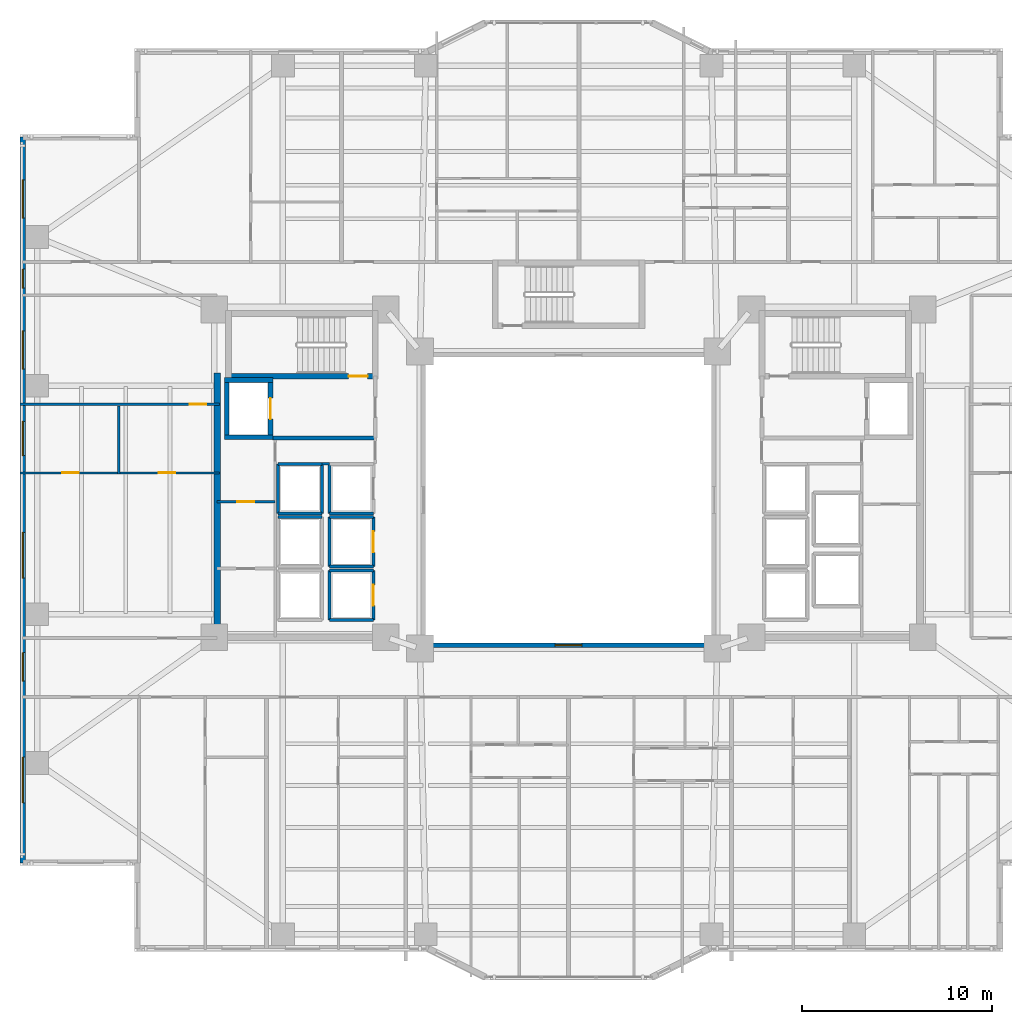
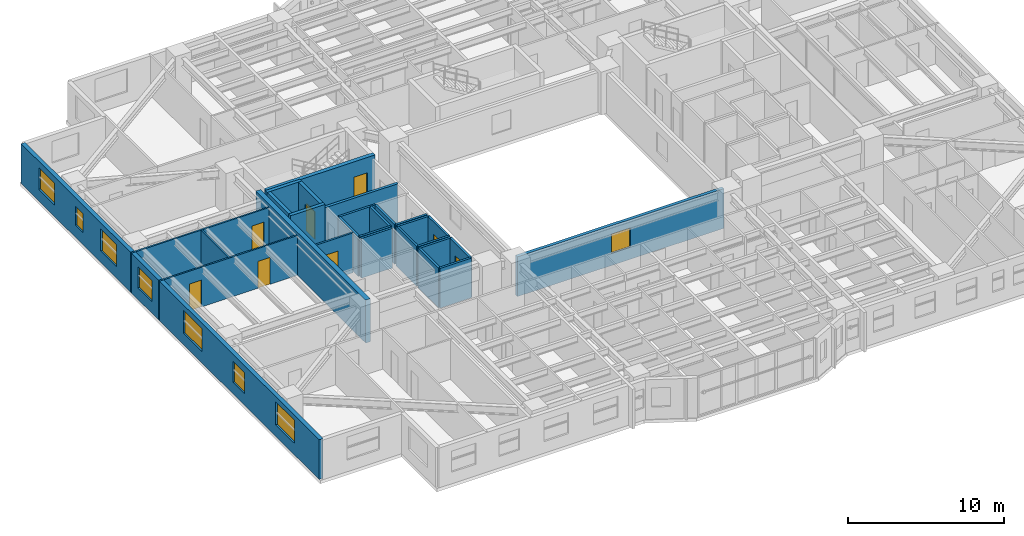
# One storey, part 11 of 22: 29 walls, 8 doors, 8 windows, 16 openings.
"""IFC4 building model written with IfcOpenShell, lengths in metres."""

from ifc_helpers import new_model, si_unit, direction, frame, frame_2d, origin, place, context, subcontext, project, spatial, rectangle, extrude, material, layer, layer_set, type_object, element, fill, save


model = new_model("IFC4")

# Units and contexts
model_context = context("Model", 3, precision=1e-05, world=origin(), true_north=direction((0.0, 1.0)))
body_context = subcontext(model_context, "Body", "Model", "MODEL_VIEW")
ifc_project = project(units=[si_unit("LENGTHUNIT", "METRE"), si_unit("AREAUNIT", "SQUARE_METRE"), si_unit("VOLUMEUNIT", "CUBIC_METRE"), si_unit("PLANEANGLEUNIT", "RADIAN"), si_unit("MASSUNIT", "GRAM", prefix="KILO")], contexts=[model_context])

# Site, building, storey
site_placement = place(None, origin())
site = spatial("IfcSite", under=ifc_project, at=site_placement, CompositionType="ELEMENT")
building_placement = place(site_placement, origin())
building = spatial("IfcBuilding", under=site, at=building_placement, Name="Tarnavaz Court Tower", CompositionType="ELEMENT")
storey_placement = place(building_placement, frame((0.0, 0.0, 27.35009765625)))
storey = spatial("IfcBuildingStorey", under=building, at=storey_placement, Name="L06", CompositionType="ELEMENT", Elevation=27.35009765625)

# Wall
ifc_material_1 = material(Name="Concrete C60/75", Category="concrete")
ifc_layer_1 = layer(ifc_material_1, 0.25)
ifc_layer_set_1 = layer_set([ifc_layer_1], Name="Concrete C60/75")
wall_type_1 = type_object("IfcWallType", Name="WL-CORE-250-C60", PredefinedType="SHEAR", material=ifc_layer_set_1)
wall_1_placement = place(storey_placement, frame((-17.949951171875, 3.175048828125, 0.0), z_axis=(0.0, 0.0, 1.0), x_axis=(0.0, 1.0, 0.0)))
element("IfcWall", 1, at=wall_1_placement, inside=storey, type_object=wall_type_1, Name="L06 Lift FL-W1 Shaft Wall 017", PredefinedType="SHEAR", context=body_context, shape_type="SweptSolid", body=[
    extrude(rectangle(XDim=3.25, YDim=0.25, at=frame_2d((1.625, 0.0))), origin(), (0.0, 0.0, 1.0), 3.349853515625),
])

# Wall, opening, door
wall_2_placement = place(storey_placement, frame((-15.64990234375, 3.175048828125, 0.0), z_axis=(0.0, 0.0, 1.0), x_axis=(0.0, 1.0, 0.0)))
wall_2 = element("IfcWall", 2, at=wall_2_placement, inside=storey, type_object=wall_type_1, Name="L06 Lift FL-W1 Shaft Wall 018", PredefinedType="SHEAR", context=body_context, shape_type="SweptSolid", body=[
    extrude(rectangle(XDim=3.25, YDim=0.25, at=frame_2d((1.625, 0.0))), origin(), (0.0, 0.0, 1.0), 3.349853515625),
])
opening_1_placement = place(wall_2_placement, frame((1.074951171875, 0.0, 0.0)))
opening_1 = element("IfcOpeningElement", 3, at=opening_1_placement, cuts=wall_2, Name="Opening LD1", PredefinedType="OPENING", context=body_context, shape_type="SweptSolid", body=[
    extrude(rectangle(XDim=1.10009765625, YDim=2.14990234375, at=frame_2d((0.550048828125, 1.074951171875))), frame((0.0, 0.135009765625, 0.0), z_axis=(0.0, -1.0, 0.0), x_axis=(1.0, 0.0, 0.0)), (0.0, 0.0, 1.0), 0.27001953125),
])
ifc_material_2 = material(Name="Stainless Steel", Category="steel")
door_type_1 = type_object("IfcDoorType", Name="DR-LD-1100", OperationType="NOTDEFINED", PredefinedType="DOOR", material=ifc_material_2)
door_1_placement = place(opening_1_placement, origin())
door_1 = element("IfcDoor", 4, at=door_1_placement, inside=storey, type_object=door_type_1, Name="L06 Lift Landing Door LD-FL-W1", OperationType="SLIDING_TO_LEFT", OverallHeight=2.14990234375, OverallWidth=1.10009765625, PredefinedType="DOOR", context=body_context, shape_type="SweptSolid", body=[
    extrude(rectangle(XDim=1.10009765625, YDim=2.14990234375, at=frame_2d((0.550048828125, 1.074951171875))), frame((0.0, 0.02490234375, 0.0), z_axis=(0.0, -1.0, 0.0), x_axis=(1.0, 0.0, 0.0)), (0.0, 0.0, 1.0), 0.050048828125),
])
fill(opening_1, door_1)

# Walls
for number, where, z_axis, x_axis, name in (
    (5, (-18.074951171875, 3.300048828125, 0.0), (0.0, 0.0, 1.0), (1.0, 0.0, 0.0), "L06 Lift FL-W1 Shaft Wall 019"),
    (6, (-18.074951171875, 6.300048828125, 0.0), (0.0, 0.0, 1.0), (1.0, 0.0, 0.0), "L06 Lift FL-W1 Shaft Wall 020"),
):
    element("IfcWall", number, at=place(storey_placement, frame(where, z_axis=z_axis, x_axis=x_axis)), inside=storey, type_object=wall_type_1, Name=name, PredefinedType="SHEAR", context=body_context, shape_type="SweptSolid", body=[
        extrude(rectangle(XDim=2.550048828125, YDim=0.25, at=frame_2d((1.27490234375, 0.0))), origin(), (0.0, 0.0, 1.0), 3.349853515625),
    ])

# Wall, opening, door
ifc_layer_2 = layer(ifc_material_1, 0.300048828125)
ifc_layer_set_2 = layer_set([ifc_layer_2], Name="Concrete C60/75")
wall_type_2 = type_object("IfcWallType", Name="WL-CORE-300-C60", PredefinedType="SHEAR", material=ifc_layer_set_2)
wall_3_placement = place(storey_placement, frame((-18.0, 6.5, 0.0), z_axis=(0.0, 0.0, 1.0), x_axis=(1.0, 0.0, 0.0)))
wall_3 = element("IfcWall", 7, at=wall_3_placement, inside=storey, type_object=wall_type_2, Name="L06 West Stair Core Wall 002", PredefinedType="SHEAR", context=body_context, shape_type="SweptSolid", body=[
    extrude(rectangle(XDim=8.0, YDim=0.300048828125, at=frame_2d((4.0, 0.0))), origin(), (0.0, 0.0, 1.0), 3.349853515625),
])
opening_2_placement = place(wall_3_placement, frame((6.449951171875, 0.0, 0.0)))
opening_2 = element("IfcOpeningElement", 8, at=opening_2_placement, cuts=wall_3, Name="Opening D01", PredefinedType="OPENING", context=body_context, shape_type="SweptSolid", body=[
    extrude(rectangle(XDim=1.0, YDim=2.14990234375, at=frame_2d((0.5, 1.074951171875))), frame((0.0, 0.159912109375, 0.0), z_axis=(0.0, -1.0, 0.0), x_axis=(1.0, 0.0, 0.0)), (0.0, 0.0, 1.0), 0.320068359375),
])
ifc_material_3 = material(Name="Fire-Rated Hardwood Timber Core", Category="wood")
door_type_2 = type_object("IfcDoorType", Name="DR-FD90-1000", OperationType="NOTDEFINED", PredefinedType="DOOR", material=ifc_material_3)
door_2_placement = place(opening_2_placement, origin())
door_2 = element("IfcDoor", 9, at=door_2_placement, inside=storey, type_object=door_type_2, Name="L06 Stair ST-W1 Exit Door", OperationType="SINGLE_SWING_LEFT", OverallHeight=2.14990234375, OverallWidth=1.0, PredefinedType="DOOR", context=body_context, shape_type="SweptSolid", body=[
    extrude(rectangle(XDim=1.0, YDim=2.14990234375, at=frame_2d((0.5, 1.074951171875))), frame((0.0, 0.02490234375, 0.0), z_axis=(0.0, -1.0, 0.0), x_axis=(1.0, 0.0, 0.0)), (0.0, 0.0, 1.0), 0.050048828125),
])
fill(opening_2, door_2)

# Wall
ifc_layer_3 = layer(ifc_material_1, 0.35009765625)
ifc_layer_set_3 = layer_set([ifc_layer_3], Name="Concrete C60/75")
wall_type_3 = type_object("IfcWallType", Name="WL-CORE-350-C60", PredefinedType="SHEAR", material=ifc_layer_set_3)
wall_4_placement = place(storey_placement, frame((-18.449951171875, -7.375, 0.0), z_axis=(0.0, 0.0, 1.0), x_axis=(0.0, 1.0, 0.0)))
element("IfcWall", 10, at=wall_4_placement, inside=storey, type_object=wall_type_3, Name="L06 West Core Shear Wall 069", PredefinedType="SHEAR", context=body_context, shape_type="SweptSolid", body=[
    extrude(rectangle(XDim=14.050048828125, YDim=0.35009765625, at=frame_2d((7.02490234375, 0.0))), origin(), (0.0, 0.0, 1.0), 3.349853515625),
])

# Wall, openings, windows
ifc_material_4 = material(Name="Precast Concrete C40/50", Category="concrete")
ifc_layer_4 = layer(ifc_material_4, 0.300048828125)
ifc_layer_set_4 = layer_set([ifc_layer_4], Name="Precast Concrete C40/50")
wall_type_4 = type_object("IfcWallType", Name="WL-EXT-300", PredefinedType="SOLIDWALL", material=ifc_layer_set_4)
wall_5_placement = place(storey_placement, frame((-28.64990234375, -19.050048828125, 0.0), z_axis=(0.0, 0.0, 1.0), x_axis=(0.0, 1.0, 0.0)))
wall_5 = element("IfcWall", 11, at=wall_5_placement, inside=storey, type_object=wall_type_4, Name="L06 Exterior Terracotta Facade Wall 02", PredefinedType="SOLIDWALL", context=body_context, shape_type="SweptSolid", body=[
    extrude(rectangle(XDim=38.10009765625, YDim=0.300048828125, at=frame_2d((19.050048828125, 0.0))), origin(), (0.0, 0.0, 1.0), 3.099853515625),
])
opening_3_placement = place(wall_5_placement, frame((3.14990234375, 0.0, 0.89990234375)))
opening_3 = element("IfcOpeningElement", 12, at=opening_3_placement, cuts=wall_5, Name="Opening W06", PredefinedType="OPENING", context=body_context, shape_type="SweptSolid", body=[
    extrude(rectangle(XDim=2.39990234375, YDim=1.800048828125, at=frame_2d((1.199951171875, 0.89990234375))), frame((0.0, 0.159912109375, 0.0), z_axis=(0.0, -1.0, 0.0), x_axis=(1.0, 0.0, 0.0)), (0.0, 0.0, 1.0), 0.320068359375),
])
opening_4_placement = place(wall_5_placement, frame((9.54248046875, 0.0, 0.89990234375)))
opening_4 = element("IfcOpeningElement", 13, at=opening_4_placement, cuts=wall_5, Name="Opening W03", PredefinedType="OPENING", context=body_context, shape_type="SweptSolid", body=[
    extrude(rectangle(XDim=1.5, YDim=1.64990234375, at=frame_2d((0.75, 0.824951171875))), frame((0.0, 0.159912109375, 0.0), z_axis=(0.0, -1.0, 0.0), x_axis=(1.0, 0.0, 0.0)), (0.0, 0.0, 1.0), 0.320068359375),
])
opening_5_placement = place(wall_5_placement, frame((14.949951171875, 0.0, 0.89990234375)))
opening_5 = element("IfcOpeningElement", 14, at=opening_5_placement, cuts=wall_5, Name="Opening W06", PredefinedType="OPENING", context=body_context, shape_type="SweptSolid", body=[
    extrude(rectangle(XDim=2.39990234375, YDim=1.800048828125, at=frame_2d((1.199951171875, 0.89990234375))), frame((0.0, 0.159912109375, 0.0), z_axis=(0.0, -1.0, 0.0), x_axis=(1.0, 0.0, 0.0)), (0.0, 0.0, 1.0), 0.320068359375),
])
opening_6_placement = place(wall_5_placement, frame((21.375, 0.0, 0.89990234375)))
opening_6 = element("IfcOpeningElement", 15, at=opening_6_placement, cuts=wall_5, Name="Opening W01", PredefinedType="OPENING", context=body_context, shape_type="SweptSolid", body=[
    extrude(rectangle(XDim=1.800048828125, YDim=1.64990234375, at=frame_2d((0.89990234375, 0.824951171875))), frame((0.0, 0.159912109375, 0.0), z_axis=(0.0, -1.0, 0.0), x_axis=(1.0, 0.0, 0.0)), (0.0, 0.0, 1.0), 0.320068359375),
])
opening_7_placement = place(wall_5_placement, frame((25.925048828125, 0.0, 0.89990234375)))
opening_7 = element("IfcOpeningElement", 16, at=opening_7_placement, cuts=wall_5, Name="Opening W08", PredefinedType="OPENING", context=body_context, shape_type="SweptSolid", body=[
    extrude(rectangle(XDim=2.0, YDim=1.699951171875, at=frame_2d((1.0, 0.85009765625))), frame((0.0, 0.159912109375, 0.0), z_axis=(0.0, -1.0, 0.0), x_axis=(1.0, 0.0, 0.0)), (0.0, 0.0, 1.0), 0.320068359375),
])
opening_8_placement = place(wall_5_placement, frame((30.175048828125, 0.0, 0.949951171875)))
opening_8 = element("IfcOpeningElement", 17, at=opening_8_placement, cuts=wall_5, Name="Opening W14", PredefinedType="OPENING", context=body_context, shape_type="SweptSolid", body=[
    extrude(rectangle(XDim=1.0, YDim=1.5, at=frame_2d((0.5, 0.75))), frame((0.0, 0.159912109375, 0.0), z_axis=(0.0, -1.0, 0.0), x_axis=(1.0, 0.0, 0.0)), (0.0, 0.0, 1.0), 0.320068359375),
])
opening_9_placement = place(wall_5_placement, frame((33.85009765625, 0.0, 0.89990234375)))
opening_9 = element("IfcOpeningElement", 18, at=opening_9_placement, cuts=wall_5, Name="Opening W08", PredefinedType="OPENING", context=body_context, shape_type="SweptSolid", body=[
    extrude(rectangle(XDim=2.0, YDim=1.699951171875, at=frame_2d((1.0, 0.85009765625))), frame((0.0, 0.159912109375, 0.0), z_axis=(0.0, -1.0, 0.0), x_axis=(1.0, 0.0, 0.0)), (0.0, 0.0, 1.0), 0.320068359375),
])
ifc_material_5 = material(Name="Double-Glazed Solar Low-E Glass", Category="glass")
window_type_1 = type_object("IfcWindowType", Name="WN-APT-1000", PartitioningType="SINGLE_PANEL", PredefinedType="WINDOW", material=ifc_material_5)
window_1_placement = place(opening_8_placement, origin())
window_1 = element("IfcWindow", 19, at=window_1_placement, inside=storey, type_object=window_type_1, Name="L06 North-West Corner Corridor Window", OverallHeight=1.5, OverallWidth=1.0, PartitioningType="SINGLE_PANEL", PredefinedType="WINDOW", context=body_context, shape_type="SweptSolid", body=[
    extrude(rectangle(XDim=1.0, YDim=1.5, at=frame_2d((0.5, 0.75))), frame((0.0, 0.030029296875, 0.0), z_axis=(0.0, -1.0, 0.0), x_axis=(1.0, 0.0, 0.0)), (0.0, 0.0, 1.0), 0.06005859375),
])
fill(opening_8, window_1)
window_type_2 = type_object("IfcWindowType", Name="WN-APT-1500", PartitioningType="DOUBLE_PANEL_VERTICAL", PredefinedType="WINDOW", material=ifc_material_5)
window_2_placement = place(opening_4_placement, origin())
window_2 = element("IfcWindow", 20, at=window_2_placement, inside=storey, type_object=window_type_2, Name="L06 South-West Corner Corridor Window", OverallHeight=1.64990234375, OverallWidth=1.5, PartitioningType="SINGLE_PANEL", PredefinedType="WINDOW", context=body_context, shape_type="SweptSolid", body=[
    extrude(rectangle(XDim=1.5, YDim=1.64990234375, at=frame_2d((0.75, 0.824951171875))), frame((0.0, 0.030029296875, 0.0), z_axis=(0.0, -1.0, 0.0), x_axis=(1.0, 0.0, 0.0)), (0.0, 0.0, 1.0), 0.06005859375),
])
fill(opening_4, window_2)
window_type_3 = type_object("IfcWindowType", Name="WN-APT-1800", PartitioningType="DOUBLE_PANEL_VERTICAL", PredefinedType="WINDOW", material=ifc_material_5)
window_3_placement = place(opening_6_placement, origin())
window_3 = element("IfcWindow", 21, at=window_3_placement, inside=storey, type_object=window_type_3, Name="L06 Flat 11 Kitchen Window", OverallHeight=1.64990234375, OverallWidth=1.800048828125, PartitioningType="SINGLE_PANEL", PredefinedType="WINDOW", context=body_context, shape_type="SweptSolid", body=[
    extrude(rectangle(XDim=1.800048828125, YDim=1.64990234375, at=frame_2d((0.89990234375, 0.824951171875))), frame((0.0, 0.030029296875, 0.0), z_axis=(0.0, -1.0, 0.0), x_axis=(1.0, 0.0, 0.0)), (0.0, 0.0, 1.0), 0.06005859375),
])
fill(opening_6, window_3)
window_type_4 = type_object("IfcWindowType", Name="WN-APT-2000", PartitioningType="DOUBLE_PANEL_VERTICAL", PredefinedType="WINDOW", material=ifc_material_5)
window_4_placement = place(opening_7_placement, origin())
window_4 = element("IfcWindow", 22, at=window_4_placement, inside=storey, type_object=window_type_4, Name="L06 Flat 11 Study Room Window", OverallHeight=1.699951171875, OverallWidth=2.0, PartitioningType="SINGLE_PANEL", PredefinedType="WINDOW", context=body_context, shape_type="SweptSolid", body=[
    extrude(rectangle(XDim=2.0, YDim=1.699951171875, at=frame_2d((1.0, 0.85009765625))), frame((0.0, 0.030029296875, 0.0), z_axis=(0.0, -1.0, 0.0), x_axis=(1.0, 0.0, 0.0)), (0.0, 0.0, 1.0), 0.06005859375),
])
fill(opening_7, window_4)
window_5_placement = place(opening_9_placement, origin())
window_5 = element("IfcWindow", 23, at=window_5_placement, inside=storey, type_object=window_type_4, Name="L06 North-West Corner Sunroom Study Window", OverallHeight=1.699951171875, OverallWidth=2.0, PartitioningType="SINGLE_PANEL", PredefinedType="WINDOW", context=body_context, shape_type="SweptSolid", body=[
    extrude(rectangle(XDim=2.0, YDim=1.699951171875, at=frame_2d((1.0, 0.85009765625))), frame((0.0, 0.030029296875, 0.0), z_axis=(0.0, -1.0, 0.0), x_axis=(1.0, 0.0, 0.0)), (0.0, 0.0, 1.0), 0.06005859375),
])
fill(opening_9, window_5)
window_type_5 = type_object("IfcWindowType", Name="WN-APT-2400", PartitioningType="TRIPLE_PANEL_VERTICAL", PredefinedType="WINDOW", material=ifc_material_5)
window_6_placement = place(opening_3_placement, origin())
window_6 = element("IfcWindow", 24, at=window_6_placement, inside=storey, type_object=window_type_5, Name="L06 South-West Corner Reading Room Window", OverallHeight=1.800048828125, OverallWidth=2.39990234375, PartitioningType="SINGLE_PANEL", PredefinedType="WINDOW", context=body_context, shape_type="SweptSolid", body=[
    extrude(rectangle(XDim=2.39990234375, YDim=1.800048828125, at=frame_2d((1.199951171875, 0.89990234375))), frame((0.0, 0.030029296875, 0.0), z_axis=(0.0, -1.0, 0.0), x_axis=(1.0, 0.0, 0.0)), (0.0, 0.0, 1.0), 0.06005859375),
])
fill(opening_3, window_6)
window_7_placement = place(opening_5_placement, origin())
window_7 = element("IfcWindow", 25, at=window_7_placement, inside=storey, type_object=window_type_5, Name="L06 Flat 11 Studio Living and Sleeping Room Window", OverallHeight=1.800048828125, OverallWidth=2.39990234375, PartitioningType="SINGLE_PANEL", PredefinedType="WINDOW", context=body_context, shape_type="SweptSolid", body=[
    extrude(rectangle(XDim=2.39990234375, YDim=1.800048828125, at=frame_2d((1.199951171875, 0.89990234375))), frame((0.0, 0.030029296875, 0.0), z_axis=(0.0, -1.0, 0.0), x_axis=(1.0, 0.0, 0.0)), (0.0, 0.0, 1.0), 0.06005859375),
])
fill(opening_5, window_7)

# Wall
ifc_material_6 = material(Name="Autoclaved Aerated Concrete Blockwork", Category="masonry")
ifc_layer_5 = layer(ifc_material_6, 0.199951171875)
ifc_layer_set_5 = layer_set([ifc_layer_5], Name="Autoclaved Aerated Concrete Blockwork")
wall_type_5 = type_object("IfcWallType", Name="WL-FIRE-200", PredefinedType="SOLIDWALL", material=ifc_layer_set_5)
wall_6_placement = place(storey_placement, frame((-15.550048828125, 3.25, 0.0), z_axis=(0.0, 0.0, 1.0), x_axis=(1.0, 0.0, 0.0)))
element("IfcWall", 26, at=wall_6_placement, inside=storey, type_object=wall_type_5, Name="L06 West Firefighting Lobby Wall 013", PredefinedType="SOLIDWALL", context=body_context, shape_type="SweptSolid", body=[
    extrude(rectangle(XDim=5.400146484375, YDim=0.199951171875, at=frame_2d((2.7001953125, 0.0))), origin(), (0.0, 0.0, 1.0), 3.099853515625),
])

# Wall, openings, doors
ifc_material_7 = material(Name="Moisture-Resistant Gypsum Board Partition", Category="masonry")
ifc_layer_6 = layer(ifc_material_7, 0.1201171875)
ifc_layer_set_6 = layer_set([ifc_layer_6], Name="Moisture-Resistant Gypsum Board Partition")
wall_type_6 = type_object("IfcWallType", Name="WL-PART-120", PredefinedType="PARTITIONING", material=ifc_layer_set_6)
wall_7_placement = place(storey_placement, frame((-28.800048828125, 1.419921875, 0.0), z_axis=(0.0, 0.0, 1.0), x_axis=(1.0, 0.0, 0.0)))
wall_7 = element("IfcWall", 27, at=wall_7_placement, inside=storey, type_object=wall_type_6, Name="L06 Interior Partition 157", PredefinedType="PARTITIONING", context=body_context, shape_type="SweptSolid", body=[
    extrude(rectangle(XDim=10.469970703125, YDim=0.1201171875, at=frame_2d((5.23486328125, 0.0))), origin(), (0.0, 0.0, 1.0), 3.099853515625),
])
opening_10_placement = place(wall_7_placement, frame((2.212890625, 0.0, 0.0)))
opening_10 = element("IfcOpeningElement", 28, at=opening_10_placement, cuts=wall_7, Name="Opening D14", PredefinedType="OPENING", context=body_context, shape_type="SweptSolid", body=[
    extrude(rectangle(XDim=0.8798828125, YDim=2.10009765625, at=frame_2d((0.43994140625, 1.050048828125))), frame((0.0, 0.070068359375, 0.0), z_axis=(0.0, -1.0, 0.0), x_axis=(1.0, 0.0, 0.0)), (0.0, 0.0, 1.0), 0.14013671875),
])
opening_11_placement = place(wall_7_placement, frame((7.278076171875, 0.0, 0.0)))
opening_11 = element("IfcOpeningElement", 29, at=opening_11_placement, cuts=wall_7, Name="Opening D14", PredefinedType="OPENING", context=body_context, shape_type="SweptSolid", body=[
    extrude(rectangle(XDim=0.8798828125, YDim=2.10009765625, at=frame_2d((0.43994140625, 1.050048828125))), frame((0.0, 0.070068359375, 0.0), z_axis=(0.0, -1.0, 0.0), x_axis=(1.0, 0.0, 0.0)), (0.0, 0.0, 1.0), 0.14013671875),
])
ifc_material_8 = material(Name="Engineered Oak Timber", Category="wood")
door_type_3 = type_object("IfcDoorType", Name="DR-INT-900", OperationType="NOTDEFINED", PredefinedType="DOOR", material=ifc_material_8)
door_3_placement = place(opening_10_placement, origin())
door_3 = element("IfcDoor", 30, at=door_3_placement, inside=storey, type_object=door_type_3, Name="L06 Flat 11 Kitchen Door", OperationType="SINGLE_SWING_RIGHT", OverallHeight=2.10009765625, OverallWidth=0.8798828125, PredefinedType="DOOR", context=body_context, shape_type="SweptSolid", body=[
    extrude(rectangle(XDim=0.8798828125, YDim=2.10009765625, at=frame_2d((0.43994140625, 1.050048828125))), frame((0.0, 0.02490234375, 0.0), z_axis=(0.0, -1.0, 0.0), x_axis=(1.0, 0.0, 0.0)), (0.0, 0.0, 1.0), 0.050048828125),
])
fill(opening_10, door_3)
door_4_placement = place(opening_11_placement, origin())
door_4 = element("IfcDoor", 31, at=door_4_placement, inside=storey, type_object=door_type_3, Name="L06 Flat 11 Bathroom Door", OperationType="SINGLE_SWING_LEFT", OverallHeight=2.10009765625, OverallWidth=0.8798828125, PredefinedType="DOOR", context=body_context, shape_type="SweptSolid", body=[
    extrude(rectangle(XDim=0.8798828125, YDim=2.10009765625, at=frame_2d((0.43994140625, 1.050048828125))), frame((0.0, 0.02490234375, 0.0), z_axis=(0.0, -1.0, 0.0), x_axis=(1.0, 0.0, 0.0)), (0.0, 0.0, 1.0), 0.050048828125),
])
fill(opening_11, door_4)

# Wall, opening, door
wall_8_placement = place(storey_placement, frame((-28.800048828125, 5.02001953125, 0.0), z_axis=(0.0, 0.0, 1.0), x_axis=(1.0, 0.0, 0.0)))
wall_8 = element("IfcWall", 32, at=wall_8_placement, inside=storey, type_object=wall_type_6, Name="L06 Interior Partition 158", PredefinedType="PARTITIONING", context=body_context, shape_type="SweptSolid", body=[
    extrude(rectangle(XDim=10.469970703125, YDim=0.1201171875, at=frame_2d((5.23486328125, 0.0))), origin(), (0.0, 0.0, 1.0), 3.099853515625),
])
opening_12_placement = place(wall_8_placement, frame((8.89990234375, 0.0, 0.0)))
opening_12 = element("IfcOpeningElement", 33, at=opening_12_placement, cuts=wall_8, Name="Opening D14", PredefinedType="OPENING", context=body_context, shape_type="SweptSolid", body=[
    extrude(rectangle(XDim=0.8798828125, YDim=2.10009765625, at=frame_2d((0.43994140625, 1.050048828125))), frame((0.0, 0.070068359375, 0.0), z_axis=(0.0, -1.0, 0.0), x_axis=(1.0, 0.0, 0.0)), (0.0, 0.0, 1.0), 0.14013671875),
])
door_5_placement = place(opening_12_placement, origin())
door_5 = element("IfcDoor", 34, at=door_5_placement, inside=storey, type_object=door_type_3, Name="L06 Flat 11 Study Door", OperationType="SINGLE_SWING_RIGHT", OverallHeight=2.10009765625, OverallWidth=0.8798828125, PredefinedType="DOOR", context=body_context, shape_type="SweptSolid", body=[
    extrude(rectangle(XDim=0.8798828125, YDim=2.10009765625, at=frame_2d((0.43994140625, 1.050048828125))), frame((0.0, 0.02490234375, 0.0), z_axis=(0.0, -1.0, 0.0), x_axis=(1.0, 0.0, 0.0)), (0.0, 0.0, 1.0), 0.050048828125),
])
fill(opening_12, door_5)

# Walls
wall_9_placement = place(storey_placement, frame((-23.614990234375, 1.360107421875, 0.0), z_axis=(0.0, 0.0, 1.0), x_axis=(0.0, 1.0, 0.0)))
element("IfcWall", 35, at=wall_9_placement, inside=storey, type_object=wall_type_6, Name="L06 Interior Partition 159", PredefinedType="PARTITIONING", context=body_context, shape_type="SweptSolid", body=[
    extrude(rectangle(XDim=3.579833984375, YDim=0.1201171875, at=frame_2d((1.7900390625, 0.0))), origin(), (0.0, 0.0, 1.0), 3.099853515625),
])
ifc_material_9 = material(Name="Gypsum Plasterboard Acoustic Partition", Category="masonry")
ifc_layer_7 = layer(ifc_material_9, 0.139892578125)
ifc_layer_set_7 = layer_set([ifc_layer_7], Name="Gypsum Plasterboard Acoustic Partition")
wall_type_7 = type_object("IfcWallType", Name="WL-PART-150", PredefinedType="PARTITIONING", material=ifc_layer_set_7)
wall_10_placement = place(storey_placement, frame((-12.949951171875, 1.89990234375, 0.0), z_axis=(0.0, 0.0, 1.0), x_axis=(1.0, 0.0, 0.0)))
element("IfcWall", 36, at=wall_10_placement, inside=storey, type_object=wall_type_7, Name="L06 Interior Partition 073", PredefinedType="PARTITIONING", context=body_context, shape_type="SweptSolid", body=[
    extrude(rectangle(XDim=0.39990234375, YDim=0.139892578125, at=frame_2d((0.199951171875, 0.0))), origin(), (0.0, 0.0, 1.0), 3.099853515625),
])

# Wall, opening, door
wall_11_placement = place(storey_placement, frame((-18.449951171875, -0.10009765625, 0.0), z_axis=(0.0, 0.0, 1.0), x_axis=(1.0, 0.0, 0.0)))
wall_11 = element("IfcWall", 37, at=wall_11_placement, inside=storey, type_object=wall_type_7, Name="L06 Interior Partition 077", PredefinedType="PARTITIONING", context=body_context, shape_type="SweptSolid", body=[
    extrude(rectangle(XDim=3.050048828125, YDim=0.139892578125, at=frame_2d((1.52490234375, 0.0))), origin(), (0.0, 0.0, 1.0), 3.099853515625),
])
opening_13_placement = place(wall_11_placement, frame((1.050048828125, 0.0, 0.0)))
opening_13 = element("IfcOpeningElement", 38, at=opening_13_placement, cuts=wall_11, Name="Opening D09", PredefinedType="OPENING", context=body_context, shape_type="SweptSolid", body=[
    extrude(rectangle(XDim=0.89990234375, YDim=2.080078125, at=frame_2d((0.449951171875, 1.0400390625))), frame((0.0, 0.079833984375, 0.0), z_axis=(0.0, -1.0, 0.0), x_axis=(1.0, 0.0, 0.0)), (0.0, 0.0, 1.0), 0.159912109375),
])
door_type_4 = type_object("IfcDoorType", Name="DR-FD30-900", OperationType="NOTDEFINED", PredefinedType="DOOR", material=ifc_material_3)
door_6_placement = place(opening_13_placement, origin())
door_6 = element("IfcDoor", 39, at=door_6_placement, inside=storey, type_object=door_type_4, Name="L06 West Chilled-Water Riser Door", OperationType="SINGLE_SWING_LEFT", OverallHeight=2.080078125, OverallWidth=0.89990234375, PredefinedType="DOOR", context=body_context, shape_type="SweptSolid", body=[
    extrude(rectangle(XDim=0.89990234375, YDim=2.080078125, at=frame_2d((0.449951171875, 1.0400390625))), frame((0.0, 0.02490234375, 0.0), z_axis=(0.0, -1.0, 0.0), x_axis=(1.0, 0.0, 0.0)), (0.0, 0.0, 1.0), 0.050048828125),
])
fill(opening_13, door_6)

# Wall
ifc_layer_8 = layer(ifc_material_6, 0.159912109375)
ifc_layer_set_8 = layer_set([ifc_layer_8], Name="Autoclaved Aerated Concrete Blockwork")
wall_type_8 = type_object("IfcWallType", Name="WL-SHAFT-150", PredefinedType="SOLIDWALL", material=ifc_layer_set_8)
wall_12_placement = place(storey_placement, frame((-12.550048828125, -6.300048828125, 0.0), z_axis=(0.0, 0.0, 1.0), x_axis=(0.0, 1.0, 0.0)))
element("IfcWall", 40, at=wall_12_placement, inside=storey, type_object=wall_type_8, Name="L06 Lift PL-L1 Shaft Wall 021", PredefinedType="SOLIDWALL", context=body_context, shape_type="SweptSolid", body=[
    extrude(rectangle(XDim=2.60009765625, YDim=0.159912109375, at=frame_2d((1.300048828125, 0.0))), origin(), (0.0, 0.0, 1.0), 3.099853515625),
])

# Wall, opening, door
wall_13_placement = place(storey_placement, frame((-10.25, -6.300048828125, 0.0), z_axis=(0.0, 0.0, 1.0), x_axis=(0.0, 1.0, 0.0)))
wall_13 = element("IfcWall", 41, at=wall_13_placement, inside=storey, type_object=wall_type_8, Name="L06 Lift PL-L1 Shaft Wall 022", PredefinedType="SOLIDWALL", context=body_context, shape_type="SweptSolid", body=[
    extrude(rectangle(XDim=2.60009765625, YDim=0.159912109375, at=frame_2d((1.300048828125, 0.0))), origin(), (0.0, 0.0, 1.0), 3.099853515625),
])
opening_14_placement = place(wall_13_placement, frame((0.75, 0.0, 0.0)))
opening_14 = element("IfcOpeningElement", 42, at=opening_14_placement, cuts=wall_13, Name="Opening LD1", PredefinedType="OPENING", context=body_context, shape_type="SweptSolid", body=[
    extrude(rectangle(XDim=1.10009765625, YDim=2.14990234375, at=frame_2d((0.550048828125, 1.074951171875))), frame((0.0, 0.08984375, 0.0), z_axis=(0.0, -1.0, 0.0), x_axis=(1.0, 0.0, 0.0)), (0.0, 0.0, 1.0), 0.179931640625),
])
door_7_placement = place(opening_14_placement, origin())
door_7 = element("IfcDoor", 43, at=door_7_placement, inside=storey, type_object=door_type_1, Name="L06 Lift Landing Door LD-PL-L1", OperationType="SLIDING_TO_LEFT", OverallHeight=2.14990234375, OverallWidth=1.10009765625, PredefinedType="DOOR", context=body_context, shape_type="SweptSolid", body=[
    extrude(rectangle(XDim=1.10009765625, YDim=2.14990234375, at=frame_2d((0.550048828125, 1.074951171875))), frame((0.0, 0.02490234375, 0.0), z_axis=(0.0, -1.0, 0.0), x_axis=(1.0, 0.0, 0.0)), (0.0, 0.0, 1.0), 0.050048828125),
])
fill(opening_14, door_7)

# Walls
for number, where, z_axis, x_axis, name in (
    (44, (-12.550048828125, -6.300048828125, 0.0), (0.0, 0.0, 1.0), (1.0, 0.0, 0.0), "L06 Lift PL-L1 Shaft Wall 023"),
    (45, (-12.550048828125, -3.699951171875, 0.0), (0.0, 0.0, 1.0), (1.0, 0.0, 0.0), "L06 Lift PL-L1 Shaft Wall 024"),
):
    element("IfcWall", number, at=place(storey_placement, frame(where, z_axis=z_axis, x_axis=x_axis)), inside=storey, type_object=wall_type_8, Name=name, PredefinedType="SOLIDWALL", context=body_context, shape_type="SweptSolid", body=[
        extrude(rectangle(XDim=2.300048828125, YDim=0.159912109375, at=frame_2d((1.14990234375, 0.0))), origin(), (0.0, 0.0, 1.0), 3.099853515625),
    ])
wall_14_placement = place(storey_placement, frame((-12.550048828125, -3.5, 0.0), z_axis=(0.0, 0.0, 1.0), x_axis=(0.0, 1.0, 0.0)))
element("IfcWall", 46, at=wall_14_placement, inside=storey, type_object=wall_type_8, Name="L06 Lift PL-L2 Shaft Wall 025", PredefinedType="SOLIDWALL", context=body_context, shape_type="SweptSolid", body=[
    extrude(rectangle(XDim=2.60009765625, YDim=0.159912109375, at=frame_2d((1.300048828125, 0.0))), origin(), (0.0, 0.0, 1.0), 3.099853515625),
])

# Wall, opening, door
wall_15_placement = place(storey_placement, frame((-10.25, -3.5, 0.0), z_axis=(0.0, 0.0, 1.0), x_axis=(0.0, 1.0, 0.0)))
wall_15 = element("IfcWall", 47, at=wall_15_placement, inside=storey, type_object=wall_type_8, Name="L06 Lift PL-L2 Shaft Wall 026", PredefinedType="SOLIDWALL", context=body_context, shape_type="SweptSolid", body=[
    extrude(rectangle(XDim=2.60009765625, YDim=0.159912109375, at=frame_2d((1.300048828125, 0.0))), origin(), (0.0, 0.0, 1.0), 3.099853515625),
])
opening_15_placement = place(wall_15_placement, frame((0.75, 0.0, 0.0)))
opening_15 = element("IfcOpeningElement", 48, at=opening_15_placement, cuts=wall_15, Name="Opening LD1", PredefinedType="OPENING", context=body_context, shape_type="SweptSolid", body=[
    extrude(rectangle(XDim=1.10009765625, YDim=2.14990234375, at=frame_2d((0.550048828125, 1.074951171875))), frame((0.0, 0.08984375, 0.0), z_axis=(0.0, -1.0, 0.0), x_axis=(1.0, 0.0, 0.0)), (0.0, 0.0, 1.0), 0.179931640625),
])
door_8_placement = place(opening_15_placement, origin())
door_8 = element("IfcDoor", 49, at=door_8_placement, inside=storey, type_object=door_type_1, Name="L06 Lift Landing Door LD-PL-L2", OperationType="SLIDING_TO_LEFT", OverallHeight=2.14990234375, OverallWidth=1.10009765625, PredefinedType="DOOR", context=body_context, shape_type="SweptSolid", body=[
    extrude(rectangle(XDim=1.10009765625, YDim=2.14990234375, at=frame_2d((0.550048828125, 1.074951171875))), frame((0.0, 0.02490234375, 0.0), z_axis=(0.0, -1.0, 0.0), x_axis=(1.0, 0.0, 0.0)), (0.0, 0.0, 1.0), 0.050048828125),
])
fill(opening_15, door_8)

# Walls
for number, where, z_axis, x_axis, name in (
    (50, (-12.550048828125, -3.5, 0.0), (0.0, 0.0, 1.0), (1.0, 0.0, 0.0), "L06 Lift PL-L2 Shaft Wall 027"),
    (51, (-12.550048828125, -0.89990234375, 0.0), (0.0, 0.0, 1.0), (1.0, 0.0, 0.0), "L06 Lift PL-L2 Shaft Wall 028"),
):
    element("IfcWall", number, at=place(storey_placement, frame(where, z_axis=z_axis, x_axis=x_axis)), inside=storey, type_object=wall_type_8, Name=name, PredefinedType="SOLIDWALL", context=body_context, shape_type="SweptSolid", body=[
        extrude(rectangle(XDim=2.300048828125, YDim=0.159912109375, at=frame_2d((1.14990234375, 0.0))), origin(), (0.0, 0.0, 1.0), 3.099853515625),
    ])
wall_16_placement = place(storey_placement, frame((-12.550048828125, -0.699951171875, 0.0), z_axis=(0.0, 0.0, 1.0), x_axis=(0.0, 1.0, 0.0)))
element("IfcWall", 52, at=wall_16_placement, inside=storey, type_object=wall_type_8, Name="L06 Lift PL-L3 Shaft Wall 029", PredefinedType="SOLIDWALL", context=body_context, shape_type="SweptSolid", body=[
    extrude(rectangle(XDim=2.599853515625, YDim=0.159912109375, at=frame_2d((1.2998046875, 0.0))), origin(), (0.0, 0.0, 1.0), 3.099853515625),
])
for number, where, z_axis, x_axis, name in (
    (53, (-12.550048828125, -0.699951171875, 0.0), (0.0, 0.0, 1.0), (1.0, 0.0, 0.0), "L06 Lift PL-L3 Shaft Wall 031"),
    (54, (-15.25, -0.89990234375, 0.0), (0.0, 0.0, 1.0), (1.0, 0.0, 0.0), "L06 Lift PL-H2 Shaft Wall 040"),
):
    element("IfcWall", number, at=place(storey_placement, frame(where, z_axis=z_axis, x_axis=x_axis)), inside=storey, type_object=wall_type_8, Name=name, PredefinedType="SOLIDWALL", context=body_context, shape_type="SweptSolid", body=[
        extrude(rectangle(XDim=2.300048828125, YDim=0.159912109375, at=frame_2d((1.14990234375, 0.0))), origin(), (0.0, 0.0, 1.0), 3.099853515625),
    ])
for number, where, z_axis, x_axis, name in (
    (55, (-15.25, -0.699951171875, 0.0), (0.0, 0.0, 1.0), (0.0, 1.0, 0.0), "L06 Lift PL-H3 Shaft Wall 041"),
    (56, (-12.949951171875, -0.699951171875, 0.0), (0.0, 0.0, 1.0), (0.0, 1.0, 0.0), "L06 Lift PL-H3 Shaft Wall 042"),
):
    element("IfcWall", number, at=place(storey_placement, frame(where, z_axis=z_axis, x_axis=x_axis)), inside=storey, type_object=wall_type_8, Name=name, PredefinedType="SOLIDWALL", context=body_context, shape_type="SweptSolid", body=[
        extrude(rectangle(XDim=2.599853515625, YDim=0.159912109375, at=frame_2d((1.2998046875, 0.0))), origin(), (0.0, 0.0, 1.0), 3.099853515625),
    ])
for number, where, z_axis, x_axis, name in (
    (57, (-15.25, -0.699951171875, 0.0), (0.0, 0.0, 1.0), (1.0, 0.0, 0.0), "L06 Lift PL-H3 Shaft Wall 043"),
    (58, (-15.25, 1.89990234375, 0.0), (0.0, 0.0, 1.0), (1.0, 0.0, 0.0), "L06 Lift PL-H3 Shaft Wall 044"),
):
    element("IfcWall", number, at=place(storey_placement, frame(where, z_axis=z_axis, x_axis=x_axis)), inside=storey, type_object=wall_type_8, Name=name, PredefinedType="SOLIDWALL", context=body_context, shape_type="SweptSolid", body=[
        extrude(rectangle(XDim=2.300048828125, YDim=0.159912109375, at=frame_2d((1.14990234375, 0.0))), origin(), (0.0, 0.0, 1.0), 3.099853515625),
    ])

# Wall, opening, window
ifc_layer_9 = layer(ifc_material_4, 0.239990234375)
ifc_layer_set_9 = layer_set([ifc_layer_9], Name="Precast Concrete C40/50")
wall_type_9 = type_object("IfcWallType", Name="WL-WELL-240", PredefinedType="SOLIDWALL", material=ifc_layer_set_9)
wall_17_placement = place(storey_placement, frame((-7.6201171875, -7.6201171875, 0.0), z_axis=(0.0, 0.0, 1.0), x_axis=(1.0, 0.0, 0.0)))
wall_17 = element("IfcWall", 59, at=wall_17_placement, inside=storey, type_object=wall_type_9, Name="L06 Badgir Light-Well Exterior Wall S", PredefinedType="SOLIDWALL", context=body_context, shape_type="SweptSolid", body=[
    extrude(rectangle(XDim=15.240234375, YDim=0.239990234375, at=frame_2d((7.6201171875, 0.0))), origin(), (0.0, 0.0, 1.0), 3.099853515625),
])
opening_16_placement = place(wall_17_placement, frame((6.919921875, 0.0, 0.949951171875)))
opening_16 = element("IfcOpeningElement", 60, at=opening_16_placement, cuts=wall_17, Name="Opening W13", PredefinedType="OPENING", context=body_context, shape_type="SweptSolid", body=[
    extrude(rectangle(XDim=1.39990234375, YDim=1.5, at=frame_2d((0.699951171875, 0.75))), frame((0.0, 0.1298828125, 0.0), z_axis=(0.0, -1.0, 0.0), x_axis=(1.0, 0.0, 0.0)), (0.0, 0.0, 1.0), 0.260009765625),
])
window_type_6 = type_object("IfcWindowType", Name="WN-WEL-1400", PartitioningType="SINGLE_PANEL", PredefinedType="WINDOW", material=ifc_material_5)
window_8_placement = place(opening_16_placement, origin())
window_8 = element("IfcWindow", 61, at=window_8_placement, inside=storey, type_object=window_type_6, Name="L06 Courtyard Gallery Window S", OverallHeight=1.5, OverallWidth=1.39990234375, PartitioningType="SINGLE_PANEL", PredefinedType="WINDOW", context=body_context, shape_type="SweptSolid", body=[
    extrude(rectangle(XDim=1.39990234375, YDim=1.5, at=frame_2d((0.699951171875, 0.75))), frame((0.0, 0.030029296875, 0.0), z_axis=(0.0, -1.0, 0.0), x_axis=(1.0, 0.0, 0.0)), (0.0, 0.0, 1.0), 0.06005859375),
])
fill(opening_16, window_8)

save(model, "model.ifc")
